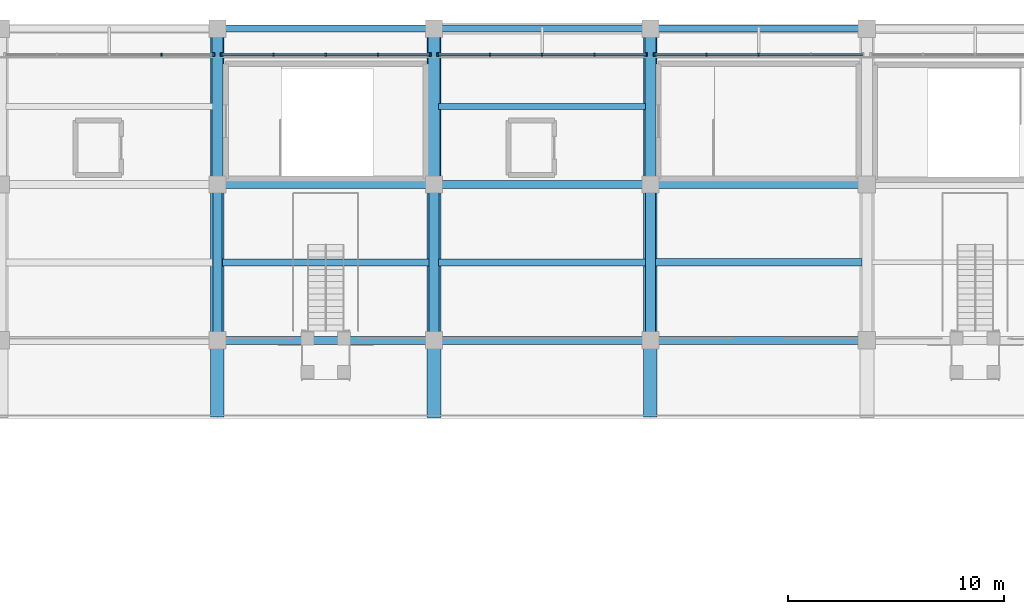
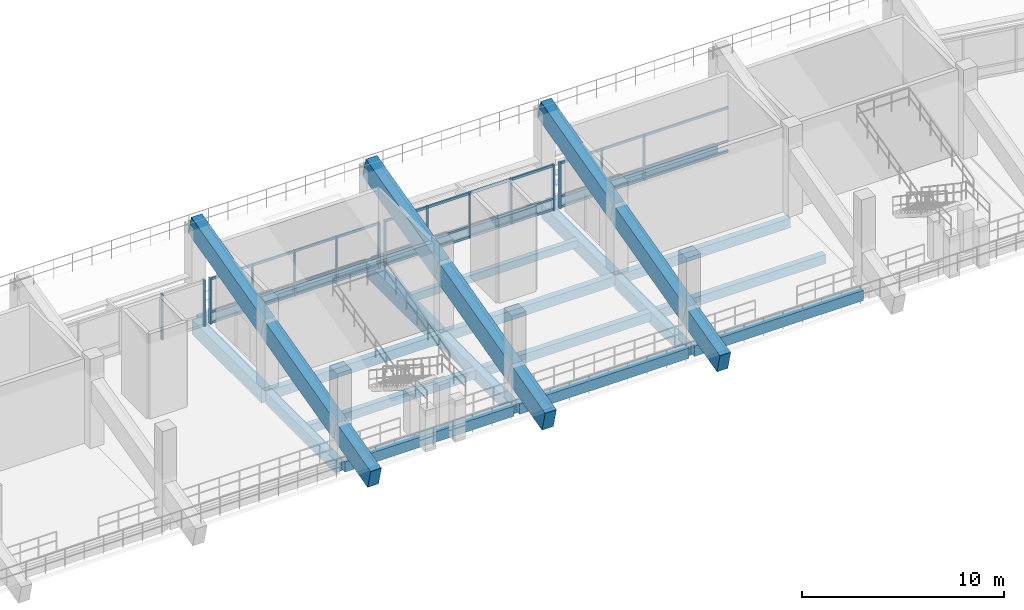
# One storey, part 44 of 96: 28 beams, 24 members, 4 elements without a shape of their own.
"""IFC4 building model written with IfcOpenShell, lengths in metres."""

from ifc_helpers import new_model, si_unit, direction, frame, origin, origin_2d, place, context, subcontext, project, spatial, rectangle, extrude, material, material_profile, profile_set, type_object, element, aggregate, save


model = new_model("IFC4")

# Units and contexts
model_context = context("Model", 3, precision=1e-05, world=origin(), true_north=direction((0.0, 1.0)))
body_context = subcontext(model_context, "Body", "Model", "MODEL_VIEW")
ifc_project = project(units=[si_unit("LENGTHUNIT", "METRE"), si_unit("AREAUNIT", "SQUARE_METRE"), si_unit("VOLUMEUNIT", "CUBIC_METRE"), si_unit("PLANEANGLEUNIT", "RADIAN"), si_unit("MASSUNIT", "GRAM", prefix="KILO")], contexts=[model_context])

# Site, building, storey
site_placement = place(None, origin())
site = spatial("IfcSite", under=ifc_project, at=site_placement, CompositionType="ELEMENT")
building_placement = place(site_placement, origin())
building = spatial("IfcBuilding", under=site, at=building_placement, Name="Candeia Ridge Stadium", CompositionType="ELEMENT")
storey_placement = place(building_placement, frame((0.0, 0.0, 21.60009765625)))
storey = spatial("IfcBuildingStorey", under=building, at=storey_placement, Name="L04", CompositionType="ELEMENT", Elevation=21.60009765625)

# Beams
ifc_material_1 = material(Name="Concrete C45/55", Category="concrete")
ifc_material_profile_1 = material_profile(ifc_material_1, rectangle(XDim=0.449951171875, YDim=0.75, at=origin_2d()), Name="RC450x750", Category="concrete")
ifc_profile_set_1 = profile_set([ifc_material_profile_1], Name="Concrete C45/55")
beam_type_1 = type_object("IfcBeamType", Name="Bowl Radial Girder RC450x750", PredefinedType="BEAM", material=ifc_profile_set_1)
beam_1_placement = place(storey_placement, frame((121.0, 132.760009765625, -0.635009765625), z_axis=(0.0, 1.0, 0.0), x_axis=(-1.0, 0.0, 0.0)))
element("IfcBeam", 1, at=beam_1_placement, inside=storey, type_object=beam_type_1, Name="Bowl radial girder BM-L04-0725", PredefinedType="BEAM", context=body_context, shape_type="SweptSolid", body=[
    extrude(rectangle(XDim=0.449951171875, YDim=0.75, at=origin_2d()), origin(), (0.0, 0.0, 1.0), 6.8798828125),
])
ifc_material_2 = material(Name="Concrete C40/50", Category="concrete")
ifc_material_profile_2 = material_profile(ifc_material_2, rectangle(XDim=0.35009765625, YDim=0.550048828125, at=origin_2d()), Name="RC350x550", Category="concrete")
ifc_profile_set_2 = profile_set([ifc_material_profile_2], Name="Concrete C40/50")
beam_type_2 = type_object("IfcBeamType", Name="Concourse Concrete Joist RC350x550", PredefinedType="JOIST", material=ifc_profile_set_2)
beam_2_placement = place(storey_placement, frame((130.778076171875, 136.199951171875, -0.53515625), z_axis=(-1.0, 0.0, 0.0), x_axis=(0.0, -1.0, 0.0)))
element("IfcBeam", 2, at=beam_2_placement, inside=storey, type_object=beam_type_2, Name="Concourse secondary joist BM-L04-0800", PredefinedType="JOIST", context=body_context, shape_type="SweptSolid", body=[
    extrude(rectangle(XDim=0.35009765625, YDim=0.550048828125, at=origin_2d()), origin(), (0.0, 0.0, 1.0), 9.55615234375),
])

# Curtain wall, member
ifc_material_3 = material(Name="Aluminium Anodized Warm Bronze", Category="aluminium")
curtain_wall_type = type_object("IfcCurtainWallType", Name="Concourse Recessed Unitised Curtain Wall", PredefinedType="NOTDEFINED", material=ifc_material_3)
curtain_wall_1_placement = place(storey_placement, origin())
curtain_wall_1 = element("IfcCurtainWall", 3, at=curtain_wall_1_placement, inside=storey, type_object=curtain_wall_type, Name="Unitised curtain wall CW-BWL-L04-01", PredefinedType="NOTDEFINED")
ifc_material_profile_3 = material_profile(ifc_material_3, rectangle(XDim=0.090087890625, YDim=0.179931640625, at=origin_2d()), Name="CWM-90x180", Category="aluminium")
ifc_profile_set_3 = profile_set([ifc_material_profile_3], Name="Aluminium Anodized Warm Bronze")
member_type_1 = type_object("IfcMemberType", Name="Curtain Wall Primary Mullion 90x180", PredefinedType="MULLION", material=ifc_profile_set_3)
member_1_placement = place(storey_placement, frame((121.179931640625, 145.800048828125, 0.0), z_axis=(0.0, 0.0, 1.0), x_axis=(1.0, 0.0, 0.0)))
member_1 = element("IfcMember", 4, at=member_1_placement, type_object=member_type_1, Name="Curtain wall mullion CW-BWL-L04-01-M4", PredefinedType="MULLION", context=body_context, shape_type="SweptSolid", body=[
    extrude(rectangle(XDim=0.090087890625, YDim=0.179931640625, at=origin_2d()), origin(), (0.0, 0.0, 1.0), 2.772216796875),
])

# Curtain wall, members
curtain_wall_2_placement = place(storey_placement, origin())
curtain_wall_2 = element("IfcCurtainWall", 5, at=curtain_wall_2_placement, inside=storey, type_object=curtain_wall_type, Name="Unitised curtain wall CW-BWL-L04-02", PredefinedType="NOTDEFINED")
member_2_placement = place(storey_placement, frame((120.820068359375, 145.800048828125, 0.0), z_axis=(0.0, 0.0, 1.0), x_axis=(1.0, 0.0, 0.0)))
member_2 = element("IfcMember", 6, at=member_2_placement, type_object=member_type_1, Name="Curtain wall mullion CW-BWL-L04-02-M0", PredefinedType="MULLION", context=body_context, shape_type="SweptSolid", body=[
    extrude(rectangle(XDim=0.090087890625, YDim=0.179931640625, at=origin_2d()), origin(), (0.0, 0.0, 1.0), 2.772216796875),
])
member_3_placement = place(storey_placement, frame((111.179931640625, 145.800048828125, 0.0), z_axis=(0.0, 0.0, 1.0), x_axis=(1.0, 0.0, 0.0)))
member_3 = element("IfcMember", 7, at=member_3_placement, type_object=member_type_1, Name="Curtain wall mullion CW-BWL-L04-02-M4", PredefinedType="MULLION", context=body_context, shape_type="SweptSolid", body=[
    extrude(rectangle(XDim=0.090087890625, YDim=0.179931640625, at=origin_2d()), origin(), (0.0, 0.0, 1.0), 2.772216796875),
])

curtain_wall_3_placement = place(storey_placement, origin())
curtain_wall_3 = element("IfcCurtainWall", 8, at=curtain_wall_3_placement, inside=storey, type_object=curtain_wall_type, Name="Unitised curtain wall CW-BWL-L04-03", PredefinedType="NOTDEFINED")
member_4_placement = place(storey_placement, frame((110.820068359375, 145.800048828125, 0.0), z_axis=(0.0, 0.0, 1.0), x_axis=(1.0, 0.0, 0.0)))
member_4 = element("IfcMember", 9, at=member_4_placement, type_object=member_type_1, Name="Curtain wall mullion CW-BWL-L04-03-M0", PredefinedType="MULLION", context=body_context, shape_type="SweptSolid", body=[
    extrude(rectangle(XDim=0.090087890625, YDim=0.179931640625, at=origin_2d()), origin(), (0.0, 0.0, 1.0), 2.772216796875),
])
member_5_placement = place(storey_placement, frame((101.179931640625, 145.800048828125, 0.0), z_axis=(0.0, 0.0, 1.0), x_axis=(1.0, 0.0, 0.0)))
member_5 = element("IfcMember", 10, at=member_5_placement, type_object=member_type_1, Name="Curtain wall mullion CW-BWL-L04-03-M4", PredefinedType="MULLION", context=body_context, shape_type="SweptSolid", body=[
    extrude(rectangle(XDim=0.090087890625, YDim=0.179931640625, at=origin_2d()), origin(), (0.0, 0.0, 1.0), 2.772216796875),
])

# Curtain wall, member
curtain_wall_4_placement = place(storey_placement, origin())
curtain_wall_4 = element("IfcCurtainWall", 11, at=curtain_wall_4_placement, inside=storey, type_object=curtain_wall_type, Name="Unitised curtain wall CW-BWL-L04-04", PredefinedType="NOTDEFINED")
member_6_placement = place(storey_placement, frame((100.820068359375, 145.800048828125, 0.0), z_axis=(0.0, 0.0, 1.0), x_axis=(1.0, 0.0, 0.0)))
member_6 = element("IfcMember", 12, at=member_6_placement, type_object=member_type_1, Name="Curtain wall mullion CW-BWL-L04-04-M0", PredefinedType="MULLION", context=body_context, shape_type="SweptSolid", body=[
    extrude(rectangle(XDim=0.090087890625, YDim=0.179931640625, at=origin_2d()), origin(), (0.0, 0.0, 1.0), 2.772216796875),
])

# Member
ifc_material_profile_4 = material_profile(ifc_material_3, rectangle(XDim=0.074951171875, YDim=0.14990234375, at=origin_2d()), Name="CWM-75x150", Category="aluminium")
ifc_profile_set_4 = profile_set([ifc_material_profile_4], Name="Aluminium Anodized Warm Bronze")
member_type_2 = type_object("IfcMemberType", Name="Curtain Wall Secondary Mullion 75x150", PredefinedType="MULLION", material=ifc_profile_set_4)
member_7_placement = place(storey_placement, frame((126.0, 145.800048828125, 0.0), z_axis=(0.0, 0.0, 1.0), x_axis=(1.0, 0.0, 0.0)))
member_7 = element("IfcMember", 13, at=member_7_placement, type_object=member_type_2, Name="Curtain wall mullion CW-BWL-L04-01-M2", PredefinedType="MULLION", context=body_context, shape_type="SweptSolid", body=[
    extrude(rectangle(XDim=0.074951171875, YDim=0.14990234375, at=origin_2d()), origin(), (0.0, 0.0, 1.0), 2.772216796875),
])

member_8_placement = place(storey_placement, frame((123.590087890625, 145.800048828125, 0.0), z_axis=(0.0, 0.0, 1.0), x_axis=(1.0, 0.0, 0.0)))
member_8 = element("IfcMember", 14, at=member_8_placement, type_object=member_type_2, Name="Curtain wall mullion CW-BWL-L04-01-M3", PredefinedType="MULLION", context=body_context, shape_type="SweptSolid", body=[
    extrude(rectangle(XDim=0.074951171875, YDim=0.14990234375, at=origin_2d()), origin(), (0.0, 0.0, 1.0), 2.772216796875),
])

member_9_placement = place(storey_placement, frame((118.409912109375, 145.800048828125, 0.0), z_axis=(0.0, 0.0, 1.0), x_axis=(1.0, 0.0, 0.0)))
member_9 = element("IfcMember", 15, at=member_9_placement, type_object=member_type_2, Name="Curtain wall mullion CW-BWL-L04-02-M1", PredefinedType="MULLION", context=body_context, shape_type="SweptSolid", body=[
    extrude(rectangle(XDim=0.074951171875, YDim=0.14990234375, at=origin_2d()), origin(), (0.0, 0.0, 1.0), 2.772216796875),
])

member_10_placement = place(storey_placement, frame((116.0, 145.800048828125, 0.0), z_axis=(0.0, 0.0, 1.0), x_axis=(1.0, 0.0, 0.0)))
member_10 = element("IfcMember", 16, at=member_10_placement, type_object=member_type_2, Name="Curtain wall mullion CW-BWL-L04-02-M2", PredefinedType="MULLION", context=body_context, shape_type="SweptSolid", body=[
    extrude(rectangle(XDim=0.074951171875, YDim=0.14990234375, at=origin_2d()), origin(), (0.0, 0.0, 1.0), 2.772216796875),
])

member_11_placement = place(storey_placement, frame((113.590087890625, 145.800048828125, 0.0), z_axis=(0.0, 0.0, 1.0), x_axis=(1.0, 0.0, 0.0)))
member_11 = element("IfcMember", 17, at=member_11_placement, type_object=member_type_2, Name="Curtain wall mullion CW-BWL-L04-02-M3", PredefinedType="MULLION", context=body_context, shape_type="SweptSolid", body=[
    extrude(rectangle(XDim=0.074951171875, YDim=0.14990234375, at=origin_2d()), origin(), (0.0, 0.0, 1.0), 2.772216796875),
])

member_12_placement = place(storey_placement, frame((108.409912109375, 145.800048828125, 0.0), z_axis=(0.0, 0.0, 1.0), x_axis=(1.0, 0.0, 0.0)))
member_12 = element("IfcMember", 18, at=member_12_placement, type_object=member_type_2, Name="Curtain wall mullion CW-BWL-L04-03-M1", PredefinedType="MULLION", context=body_context, shape_type="SweptSolid", body=[
    extrude(rectangle(XDim=0.074951171875, YDim=0.14990234375, at=origin_2d()), origin(), (0.0, 0.0, 1.0), 2.772216796875),
])

member_13_placement = place(storey_placement, frame((106.0, 145.800048828125, 0.0), z_axis=(0.0, 0.0, 1.0), x_axis=(1.0, 0.0, 0.0)))
member_13 = element("IfcMember", 19, at=member_13_placement, type_object=member_type_2, Name="Curtain wall mullion CW-BWL-L04-03-M2", PredefinedType="MULLION", context=body_context, shape_type="SweptSolid", body=[
    extrude(rectangle(XDim=0.074951171875, YDim=0.14990234375, at=origin_2d()), origin(), (0.0, 0.0, 1.0), 2.772216796875),
])

member_14_placement = place(storey_placement, frame((103.590087890625, 145.800048828125, 0.0), z_axis=(0.0, 0.0, 1.0), x_axis=(1.0, 0.0, 0.0)))
member_14 = element("IfcMember", 20, at=member_14_placement, type_object=member_type_2, Name="Curtain wall mullion CW-BWL-L04-03-M3", PredefinedType="MULLION", context=body_context, shape_type="SweptSolid", body=[
    extrude(rectangle(XDim=0.074951171875, YDim=0.14990234375, at=origin_2d()), origin(), (0.0, 0.0, 1.0), 2.772216796875),
])

member_15_placement = place(storey_placement, frame((98.409912109375, 145.800048828125, 0.0), z_axis=(0.0, 0.0, 1.0), x_axis=(1.0, 0.0, 0.0)))
member_15 = element("IfcMember", 21, at=member_15_placement, type_object=member_type_2, Name="Curtain wall mullion CW-BWL-L04-04-M1", PredefinedType="MULLION", context=body_context, shape_type="SweptSolid", body=[
    extrude(rectangle(XDim=0.074951171875, YDim=0.14990234375, at=origin_2d()), origin(), (0.0, 0.0, 1.0), 2.772216796875),
])

aggregate(curtain_wall_4, [member_6, member_15])

ifc_material_profile_5 = material_profile(ifc_material_3, rectangle(XDim=0.074951171875, YDim=0.110107421875, at=origin_2d()), Name="CWT-75x110", Category="aluminium")
ifc_profile_set_5 = profile_set([ifc_material_profile_5], Name="Aluminium Anodized Warm Bronze")
member_type_3 = type_object("IfcMemberType", Name="Curtain Wall Secondary Transom 75x110", PredefinedType="USERDEFINED", material=ifc_profile_set_5)
member_16_placement = place(storey_placement, frame((130.820068359375, 145.800048828125, 0.693115234375), z_axis=(-1.0, 0.0, 0.0), x_axis=(0.0, -1.0, 0.0)))
member_16 = element("IfcMember", 22, at=member_16_placement, type_object=member_type_3, Name="Curtain wall transom CW-BWL-L04-01-T1", ObjectType="TRANSOM", PredefinedType="USERDEFINED", context=body_context, shape_type="SweptSolid", body=[
    extrude(rectangle(XDim=0.074951171875, YDim=0.110107421875, at=origin_2d()), origin(), (0.0, 0.0, 1.0), 9.64013671875),
])

member_17_placement = place(storey_placement, frame((120.820068359375, 145.800048828125, 0.693115234375), z_axis=(-1.0, 0.0, 0.0), x_axis=(0.0, -1.0, 0.0)))
member_17 = element("IfcMember", 23, at=member_17_placement, type_object=member_type_3, Name="Curtain wall transom CW-BWL-L04-02-T1", ObjectType="TRANSOM", PredefinedType="USERDEFINED", context=body_context, shape_type="SweptSolid", body=[
    extrude(rectangle(XDim=0.074951171875, YDim=0.110107421875, at=origin_2d()), origin(), (0.0, 0.0, 1.0), 9.64013671875),
])

member_18_placement = place(storey_placement, frame((110.820068359375, 145.800048828125, 0.693115234375), z_axis=(-1.0, 0.0, 0.0), x_axis=(0.0, -1.0, 0.0)))
member_18 = element("IfcMember", 24, at=member_18_placement, type_object=member_type_3, Name="Curtain wall transom CW-BWL-L04-03-T1", ObjectType="TRANSOM", PredefinedType="USERDEFINED", context=body_context, shape_type="SweptSolid", body=[
    extrude(rectangle(XDim=0.074951171875, YDim=0.110107421875, at=origin_2d()), origin(), (0.0, 0.0, 1.0), 9.64013671875),
])

ifc_material_profile_6 = material_profile(ifc_material_3, rectangle(XDim=0.090087890625, YDim=0.139892578125, at=origin_2d()), Name="CWT-90x140", Category="aluminium")
ifc_profile_set_6 = profile_set([ifc_material_profile_6], Name="Aluminium Anodized Warm Bronze")
member_type_4 = type_object("IfcMemberType", Name="Curtain Wall Transom 90x140", PredefinedType="USERDEFINED", material=ifc_profile_set_6)
member_19_placement = place(storey_placement, frame((130.820068359375, 145.800048828125, 0.06982421875), z_axis=(-1.0, 0.0, 0.0), x_axis=(0.0, -1.0, 0.0)))
member_19 = element("IfcMember", 25, at=member_19_placement, type_object=member_type_4, Name="Curtain wall transom CW-BWL-L04-01-T0", ObjectType="TRANSOM", PredefinedType="USERDEFINED", context=body_context, shape_type="SweptSolid", body=[
    extrude(rectangle(XDim=0.090087890625, YDim=0.139892578125, at=origin_2d()), origin(), (0.0, 0.0, 1.0), 9.64013671875),
])

member_20_placement = place(storey_placement, frame((130.820068359375, 145.800048828125, 2.7021484375), z_axis=(-1.0, 0.0, 0.0), x_axis=(0.0, -1.0, 0.0)))
member_20 = element("IfcMember", 26, at=member_20_placement, type_object=member_type_4, Name="Curtain wall transom CW-BWL-L04-01-T2", ObjectType="TRANSOM", PredefinedType="USERDEFINED", context=body_context, shape_type="SweptSolid", body=[
    extrude(rectangle(XDim=0.090087890625, YDim=0.139892578125, at=origin_2d()), origin(), (0.0, 0.0, 1.0), 9.64013671875),
])

aggregate(curtain_wall_1, [member_7, member_8, member_1, member_19, member_16, member_20])

member_21_placement = place(storey_placement, frame((120.820068359375, 145.800048828125, 0.06982421875), z_axis=(-1.0, 0.0, 0.0), x_axis=(0.0, -1.0, 0.0)))
member_21 = element("IfcMember", 27, at=member_21_placement, type_object=member_type_4, Name="Curtain wall transom CW-BWL-L04-02-T0", ObjectType="TRANSOM", PredefinedType="USERDEFINED", context=body_context, shape_type="SweptSolid", body=[
    extrude(rectangle(XDim=0.090087890625, YDim=0.139892578125, at=origin_2d()), origin(), (0.0, 0.0, 1.0), 9.64013671875),
])

member_22_placement = place(storey_placement, frame((120.820068359375, 145.800048828125, 2.7021484375), z_axis=(-1.0, 0.0, 0.0), x_axis=(0.0, -1.0, 0.0)))
member_22 = element("IfcMember", 28, at=member_22_placement, type_object=member_type_4, Name="Curtain wall transom CW-BWL-L04-02-T2", ObjectType="TRANSOM", PredefinedType="USERDEFINED", context=body_context, shape_type="SweptSolid", body=[
    extrude(rectangle(XDim=0.090087890625, YDim=0.139892578125, at=origin_2d()), origin(), (0.0, 0.0, 1.0), 9.64013671875),
])

aggregate(curtain_wall_2, [member_2, member_9, member_10, member_11, member_3, member_21, member_17, member_22])

member_23_placement = place(storey_placement, frame((110.820068359375, 145.800048828125, 0.06982421875), z_axis=(-1.0, 0.0, 0.0), x_axis=(0.0, -1.0, 0.0)))
member_23 = element("IfcMember", 29, at=member_23_placement, type_object=member_type_4, Name="Curtain wall transom CW-BWL-L04-03-T0", ObjectType="TRANSOM", PredefinedType="USERDEFINED", context=body_context, shape_type="SweptSolid", body=[
    extrude(rectangle(XDim=0.090087890625, YDim=0.139892578125, at=origin_2d()), origin(), (0.0, 0.0, 1.0), 9.64013671875),
])

member_24_placement = place(storey_placement, frame((110.820068359375, 145.800048828125, 2.7021484375), z_axis=(-1.0, 0.0, 0.0), x_axis=(0.0, -1.0, 0.0)))
member_24 = element("IfcMember", 30, at=member_24_placement, type_object=member_type_4, Name="Curtain wall transom CW-BWL-L04-03-T2", ObjectType="TRANSOM", PredefinedType="USERDEFINED", context=body_context, shape_type="SweptSolid", body=[
    extrude(rectangle(XDim=0.090087890625, YDim=0.139892578125, at=origin_2d()), origin(), (0.0, 0.0, 1.0), 9.64013671875),
])

aggregate(curtain_wall_3, [member_4, member_12, member_13, member_14, member_5, member_23, member_18, member_24])

# Beams
ifc_material_profile_7 = material_profile(ifc_material_2, rectangle(XDim=0.280029296875, YDim=0.4599609375, at=origin_2d()), Name="RC280x460", Category="concrete")
ifc_profile_set_7 = profile_set([ifc_material_profile_7], Name="Concrete C40/50")
beam_type_3 = type_object("IfcBeamType", Name="Floor Joist RC280x460", PredefinedType="JOIST", material=ifc_profile_set_7)
beam_3_placement = place(storey_placement, frame((120.778076171875, 143.39990234375, -0.489990234375), z_axis=(-1.0, 0.0, 0.0), x_axis=(0.0, -1.0, 0.0)))
element("IfcBeam", 31, at=beam_3_placement, inside=storey, type_object=beam_type_3, Name="Concourse secondary joist BM-L04-0805", PredefinedType="JOIST", context=body_context, shape_type="SweptSolid", body=[
    extrude(rectangle(XDim=0.280029296875, YDim=0.4599609375, at=origin_2d()), origin(), (0.0, 0.0, 1.0), 9.55615234375),
])
ifc_material_profile_8 = material_profile(ifc_material_2, rectangle(XDim=0.320068359375, YDim=0.52001953125, at=origin_2d()), Name="RC320x520", Category="concrete")
ifc_profile_set_8 = profile_set([ifc_material_profile_8], Name="Concrete C40/50")
beam_type_4 = type_object("IfcBeamType", Name="Floor Joist RC320x520", PredefinedType="JOIST", material=ifc_profile_set_8)
beam_4_placement = place(storey_placement, frame((110.778076171875, 136.199951171875, -0.52001953125), z_axis=(-1.0, 0.0, 0.0), x_axis=(0.0, -1.0, 0.0)))
element("IfcBeam", 32, at=beam_4_placement, inside=storey, type_object=beam_type_4, Name="Concourse secondary joist BM-L04-0809", PredefinedType="JOIST", context=body_context, shape_type="SweptSolid", body=[
    extrude(rectangle(XDim=0.320068359375, YDim=0.52001953125, at=origin_2d()), origin(), (0.0, 0.0, 1.0), 9.55615234375),
])
ifc_material_profile_9 = material_profile(ifc_material_2, rectangle(XDim=0.340087890625, YDim=0.5400390625, at=origin_2d()), Name="RC340x540", Category="concrete")
ifc_profile_set_9 = profile_set([ifc_material_profile_9], Name="Concrete C40/50")
beam_type_5 = type_object("IfcBeamType", Name="Floor Joist RC340x540", PredefinedType="JOIST", material=ifc_profile_set_9)
beam_5_placement = place(storey_placement, frame((120.778076171875, 136.199951171875, -0.530029296875), z_axis=(-1.0, 0.0, 0.0), x_axis=(0.0, -1.0, 0.0)))
element("IfcBeam", 33, at=beam_5_placement, inside=storey, type_object=beam_type_5, Name="Concourse secondary joist BM-L04-0804", PredefinedType="JOIST", context=body_context, shape_type="SweptSolid", body=[
    extrude(rectangle(XDim=0.340087890625, YDim=0.5400390625, at=origin_2d()), origin(), (0.0, 0.0, 1.0), 9.55615234375),
])
ifc_material_profile_10 = material_profile(ifc_material_2, rectangle(XDim=0.360107421875, YDim=0.580078125, at=origin_2d()), Name="RC360x580", Category="concrete")
ifc_profile_set_10 = profile_set([ifc_material_profile_10], Name="Concrete C40/50")
beam_type_6 = type_object("IfcBeamType", Name="Frame Girder RC360x580", PredefinedType="BEAM", material=ifc_profile_set_10)
for number, where, z_axis, x_axis, name in (
    (34, (130.840087890625, 139.800048828125, -0.550048828125), (-1.0, 0.0, 0.0), (0.0, -1.0, 0.0), "Concourse spine girder BM-L04-0798"),
    (35, (120.840087890625, 139.800048828125, -0.550048828125), (-1.0, 0.0, 0.0), (0.0, -1.0, 0.0), "Concourse spine girder BM-L04-0802"),
    (36, (110.840087890625, 139.800048828125, -0.550048828125), (-1.0, 0.0, 0.0), (0.0, -1.0, 0.0), "Concourse spine girder BM-L04-0807"),
):
    element("IfcBeam", number, at=place(storey_placement, frame(where, z_axis=z_axis, x_axis=x_axis)), inside=storey, type_object=beam_type_6, Name=name, PredefinedType="BEAM", context=body_context, shape_type="SweptSolid", body=[
        extrude(rectangle(XDim=0.360107421875, YDim=0.580078125, at=origin_2d()), origin(), (0.0, 0.0, 1.0), 9.68017578125),
    ])
ifc_material_profile_11 = material_profile(ifc_material_2, rectangle(XDim=0.3798828125, YDim=0.6201171875, at=origin_2d()), Name="RC380x620", Category="concrete")
ifc_profile_set_11 = profile_set([ifc_material_profile_11], Name="Concrete C40/50")
beam_type_7 = type_object("IfcBeamType", Name="Frame Girder RC380x620", PredefinedType="BEAM", material=ifc_profile_set_11)
for number, where, z_axis, x_axis, name in (
    (37, (130.840087890625, 132.60009765625, -0.570068359375), (-1.0, 0.0, 0.0), (0.0, -1.0, 0.0), "Bowl inner ring girder BM-L04-0797"),
    (38, (120.840087890625, 132.60009765625, -0.570068359375), (-1.0, 0.0, 0.0), (0.0, -1.0, 0.0), "Bowl inner ring girder BM-L04-0801"),
    (39, (110.840087890625, 132.60009765625, -0.570068359375), (-1.0, 0.0, 0.0), (0.0, -1.0, 0.0), "Bowl inner ring girder BM-L04-0806"),
):
    element("IfcBeam", number, at=place(storey_placement, frame(where, z_axis=z_axis, x_axis=x_axis)), inside=storey, type_object=beam_type_7, Name=name, PredefinedType="BEAM", context=body_context, shape_type="SweptSolid", body=[
        extrude(rectangle(XDim=0.3798828125, YDim=0.6201171875, at=origin_2d()), origin(), (0.0, 0.0, 1.0), 9.68017578125),
    ])
ifc_material_profile_12 = material_profile(ifc_material_2, rectangle(XDim=0.429931640625, YDim=0.739990234375, at=origin_2d()), Name="RC430x740", Category="concrete")
ifc_profile_set_12 = profile_set([ifc_material_profile_12], Name="Concrete C40/50")
beam_type_8 = type_object("IfcBeamType", Name="Frame Girder RC430x740", PredefinedType="BEAM", material=ifc_profile_set_12)
beam_6_placement = place(storey_placement, frame((101.0, 132.760009765625, -0.630126953125), z_axis=(0.0, 1.0, 0.0), x_axis=(-1.0, 0.0, 0.0)))
element("IfcBeam", 40, at=beam_6_placement, inside=storey, type_object=beam_type_8, Name="Bowl radial girder BM-L04-0729", PredefinedType="BEAM", context=body_context, shape_type="SweptSolid", body=[
    extrude(rectangle(XDim=0.429931640625, YDim=0.739990234375, at=origin_2d()), origin(), (0.0, 0.0, 1.0), 6.8798828125),
])
ifc_material_profile_13 = material_profile(ifc_material_2, rectangle(XDim=0.469970703125, YDim=0.760009765625, at=origin_2d()), Name="RC470x760", Category="concrete")
ifc_profile_set_13 = profile_set([ifc_material_profile_13], Name="Concrete C40/50")
beam_type_9 = type_object("IfcBeamType", Name="Frame Girder RC470x760", PredefinedType="BEAM", material=ifc_profile_set_13)
beam_7_placement = place(storey_placement, frame((111.0, 132.760009765625, -0.64013671875), z_axis=(0.0, 1.0, 0.0), x_axis=(-1.0, 0.0, 0.0)))
element("IfcBeam", 41, at=beam_7_placement, inside=storey, type_object=beam_type_9, Name="Bowl radial girder BM-L04-0727", PredefinedType="BEAM", context=body_context, shape_type="SweptSolid", body=[
    extrude(rectangle(XDim=0.469970703125, YDim=0.760009765625, at=origin_2d()), origin(), (0.0, 0.0, 1.0), 6.8798828125),
])
ifc_material_profile_14 = material_profile(ifc_material_1, rectangle(XDim=0.5, YDim=0.85009765625, at=origin_2d()), Name="RC500x850", Category="concrete")
ifc_profile_set_14 = profile_set([ifc_material_profile_14], Name="Concrete C45/55")
beam_type_10 = type_object("IfcBeamType", Name="Frame Girder RC500x850", PredefinedType="BEAM", material=ifc_profile_set_14)
beam_8_placement = place(storey_placement, frame((121.0, 139.9599609375, -0.68505859375), z_axis=(0.0, 1.0, 0.0), x_axis=(-1.0, 0.0, 0.0)))
element("IfcBeam", 42, at=beam_8_placement, inside=storey, type_object=beam_type_10, Name="Bowl radial girder BM-L04-0726", PredefinedType="BEAM", context=body_context, shape_type="SweptSolid", body=[
    extrude(rectangle(XDim=0.5, YDim=0.85009765625, at=origin_2d()), origin(), (0.0, 0.0, 1.0), 6.880126953125),
])
ifc_material_profile_15 = material_profile(ifc_material_1, rectangle(XDim=0.52001953125, YDim=0.8798828125, at=origin_2d()), Name="RC520x880", Category="concrete")
ifc_profile_set_15 = profile_set([ifc_material_profile_15], Name="Concrete C45/55")
beam_type_11 = type_object("IfcBeamType", Name="Frame Girder RC520x880", PredefinedType="BEAM", material=ifc_profile_set_15)
beam_9_placement = place(storey_placement, frame((101.0, 139.9599609375, -0.7001953125), z_axis=(0.0, 1.0, 0.0), x_axis=(-1.0, 0.0, 0.0)))
element("IfcBeam", 43, at=beam_9_placement, inside=storey, type_object=beam_type_11, Name="Bowl radial girder BM-L04-0730", PredefinedType="BEAM", context=body_context, shape_type="SweptSolid", body=[
    extrude(rectangle(XDim=0.52001953125, YDim=0.8798828125, at=origin_2d()), origin(), (0.0, 0.0, 1.0), 6.880126953125),
])
ifc_material_profile_16 = material_profile(ifc_material_1, rectangle(XDim=0.550048828125, YDim=0.919921875, at=origin_2d()), Name="RC550x920", Category="concrete")
ifc_profile_set_16 = profile_set([ifc_material_profile_16], Name="Concrete C45/55")
beam_type_12 = type_object("IfcBeamType", Name="Frame Girder RC550x920", PredefinedType="BEAM", material=ifc_profile_set_16)
beam_10_placement = place(storey_placement, frame((111.0, 139.9599609375, -0.72021484375), z_axis=(0.0, 1.0, 0.0), x_axis=(-1.0, 0.0, 0.0)))
element("IfcBeam", 44, at=beam_10_placement, inside=storey, type_object=beam_type_12, Name="Bowl radial girder BM-L04-0728", PredefinedType="BEAM", context=body_context, shape_type="SweptSolid", body=[
    extrude(rectangle(XDim=0.550048828125, YDim=0.919921875, at=origin_2d()), origin(), (0.0, 0.0, 1.0), 6.880126953125),
])
ifc_material_profile_17 = material_profile(ifc_material_2, rectangle(XDim=0.320068359375, YDim=0.6201171875, at=origin_2d()), Name="RC320x620", Category="concrete")
ifc_profile_set_17 = profile_set([ifc_material_profile_17], Name="Concrete C40/50")
beam_type_13 = type_object("IfcBeamType", Name="Spandrel Beam RC320x620", PredefinedType="SPANDREL", material=ifc_profile_set_17)
for number, where, z_axis, x_axis, name in (
    (45, (130.840087890625, 147.0, -0.570068359375), (-1.0, 0.0, 0.0), (0.0, -1.0, 0.0), "Bowl perimeter spandrel BM-L04-0799"),
    (46, (120.840087890625, 147.0, -0.570068359375), (-1.0, 0.0, 0.0), (0.0, -1.0, 0.0), "Bowl perimeter spandrel BM-L04-0803"),
    (47, (110.840087890625, 147.0, -0.570068359375), (-1.0, 0.0, 0.0), (0.0, -1.0, 0.0), "Bowl perimeter spandrel BM-L04-0808"),
):
    element("IfcBeam", number, at=place(storey_placement, frame(where, z_axis=z_axis, x_axis=x_axis)), inside=storey, type_object=beam_type_13, Name=name, PredefinedType="SPANDREL", context=body_context, shape_type="SweptSolid", body=[
        extrude(rectangle(XDim=0.320068359375, YDim=0.6201171875, at=origin_2d()), origin(), (0.0, 0.0, 1.0), 9.68017578125),
    ])
ifc_material_profile_18 = material_profile(ifc_material_1, rectangle(XDim=0.6201171875, YDim=1.179931640625, at=origin_2d()), Name="RC620x1180", Category="concrete")
ifc_profile_set_18 = profile_set([ifc_material_profile_18], Name="Concrete C45/55")
beam_type_14 = type_object("IfcBeamType", Name="Stand Raker Beam RC620x1180", PredefinedType="USERDEFINED", material=ifc_profile_set_18)
beam_11_placement = place(storey_placement, frame((121.0, 132.60009765625, 1.66796875), z_axis=(0.0, 0.968083084121, 0.250629491956), x_axis=(-1.0, 0.0, 0.0)))
element("IfcBeam", 48, at=beam_11_placement, inside=storey, type_object=beam_type_14, Name="Stand T3 inner raker beam 03", ObjectType="RAKER", PredefinedType="USERDEFINED", context=body_context, shape_type="SweptSolid", body=[
    extrude(rectangle(XDim=0.6201171875, YDim=1.179931640625, at=origin_2d()), origin(), (0.0, 0.0, 1.0), 7.437255859375),
])
beam_12_placement = place(storey_placement, frame((121.0, 139.800048828125, 3.531982421875), z_axis=(0.0, 0.968067153083, 0.250691019229), x_axis=(-1.0, 0.0, 0.0)))
element("IfcBeam", 49, at=beam_12_placement, inside=storey, type_object=beam_type_14, Name="Stand T3 outer raker beam 03", ObjectType="RAKER", PredefinedType="USERDEFINED", context=body_context, shape_type="SweptSolid", body=[
    extrude(rectangle(XDim=0.6201171875, YDim=1.179931640625, at=origin_2d()), origin(), (0.0, 0.0, 1.0), 7.4375),
])
beam_13_placement = place(storey_placement, frame((121.0, 129.199951171875, 0.78759765625), z_axis=(0.0, 0.968076277783, 0.250655780691), x_axis=(-1.0, 0.0, 0.0)))
element("IfcBeam", 50, at=beam_13_placement, inside=storey, type_object=beam_type_14, Name="Stand T3 cantilever raker beam 03", ObjectType="RAKER", PredefinedType="USERDEFINED", context=body_context, shape_type="SweptSolid", body=[
    extrude(rectangle(XDim=0.6201171875, YDim=1.179931640625, at=origin_2d()), origin(), (0.0, 0.0, 1.0), 3.51220703125),
])
beam_14_placement = place(storey_placement, frame((101.0, 132.60009765625, 1.66796875), z_axis=(0.0, 0.968083084121, 0.250629491956), x_axis=(-1.0, 0.0, 0.0)))
element("IfcBeam", 51, at=beam_14_placement, inside=storey, type_object=beam_type_14, Name="Stand T3 inner raker beam 05", ObjectType="RAKER", PredefinedType="USERDEFINED", context=body_context, shape_type="SweptSolid", body=[
    extrude(rectangle(XDim=0.6201171875, YDim=1.179931640625, at=origin_2d()), origin(), (0.0, 0.0, 1.0), 7.437255859375),
])
beam_15_placement = place(storey_placement, frame((101.0, 139.800048828125, 3.531982421875), z_axis=(0.0, 0.968067153083, 0.250691019229), x_axis=(-1.0, 0.0, 0.0)))
element("IfcBeam", 52, at=beam_15_placement, inside=storey, type_object=beam_type_14, Name="Stand T3 outer raker beam 05", ObjectType="RAKER", PredefinedType="USERDEFINED", context=body_context, shape_type="SweptSolid", body=[
    extrude(rectangle(XDim=0.6201171875, YDim=1.179931640625, at=origin_2d()), origin(), (0.0, 0.0, 1.0), 7.4375),
])
beam_16_placement = place(storey_placement, frame((101.0, 129.199951171875, 0.78759765625), z_axis=(0.0, 0.968076277783, 0.250655780691), x_axis=(-1.0, 0.0, 0.0)))
element("IfcBeam", 53, at=beam_16_placement, inside=storey, type_object=beam_type_14, Name="Stand T3 cantilever raker beam 05", ObjectType="RAKER", PredefinedType="USERDEFINED", context=body_context, shape_type="SweptSolid", body=[
    extrude(rectangle(XDim=0.6201171875, YDim=1.179931640625, at=origin_2d()), origin(), (0.0, 0.0, 1.0), 3.51220703125),
])
ifc_material_profile_19 = material_profile(ifc_material_1, rectangle(XDim=0.64990234375, YDim=1.25, at=origin_2d()), Name="RC650x1250", Category="concrete")
ifc_profile_set_19 = profile_set([ifc_material_profile_19], Name="Concrete C45/55")
beam_type_15 = type_object("IfcBeamType", Name="Stand Raker Beam RC650x1250", PredefinedType="USERDEFINED", material=ifc_profile_set_19)
beam_17_placement = place(storey_placement, frame((111.0, 132.60009765625, 1.66796875), z_axis=(0.0, 0.968083084121, 0.250629491956), x_axis=(-1.0, 0.0, 0.0)))
element("IfcBeam", 54, at=beam_17_placement, inside=storey, type_object=beam_type_15, Name="Stand T3 inner raker beam 04", ObjectType="RAKER", PredefinedType="USERDEFINED", context=body_context, shape_type="SweptSolid", body=[
    extrude(rectangle(XDim=0.64990234375, YDim=1.25, at=origin_2d()), origin(), (0.0, 0.0, 1.0), 7.437255859375),
])
beam_18_placement = place(storey_placement, frame((111.0, 139.800048828125, 3.531982421875), z_axis=(0.0, 0.968067153083, 0.250691019229), x_axis=(-1.0, 0.0, 0.0)))
element("IfcBeam", 55, at=beam_18_placement, inside=storey, type_object=beam_type_15, Name="Stand T3 outer raker beam 04", ObjectType="RAKER", PredefinedType="USERDEFINED", context=body_context, shape_type="SweptSolid", body=[
    extrude(rectangle(XDim=0.64990234375, YDim=1.25, at=origin_2d()), origin(), (0.0, 0.0, 1.0), 7.4375),
])
beam_19_placement = place(storey_placement, frame((111.0, 129.199951171875, 0.78759765625), z_axis=(0.0, 0.968076277783, 0.250655780691), x_axis=(-1.0, 0.0, 0.0)))
element("IfcBeam", 56, at=beam_19_placement, inside=storey, type_object=beam_type_15, Name="Stand T3 cantilever raker beam 04", ObjectType="RAKER", PredefinedType="USERDEFINED", context=body_context, shape_type="SweptSolid", body=[
    extrude(rectangle(XDim=0.64990234375, YDim=1.25, at=origin_2d()), origin(), (0.0, 0.0, 1.0), 3.51220703125),
])

save(model, "model.ifc")
